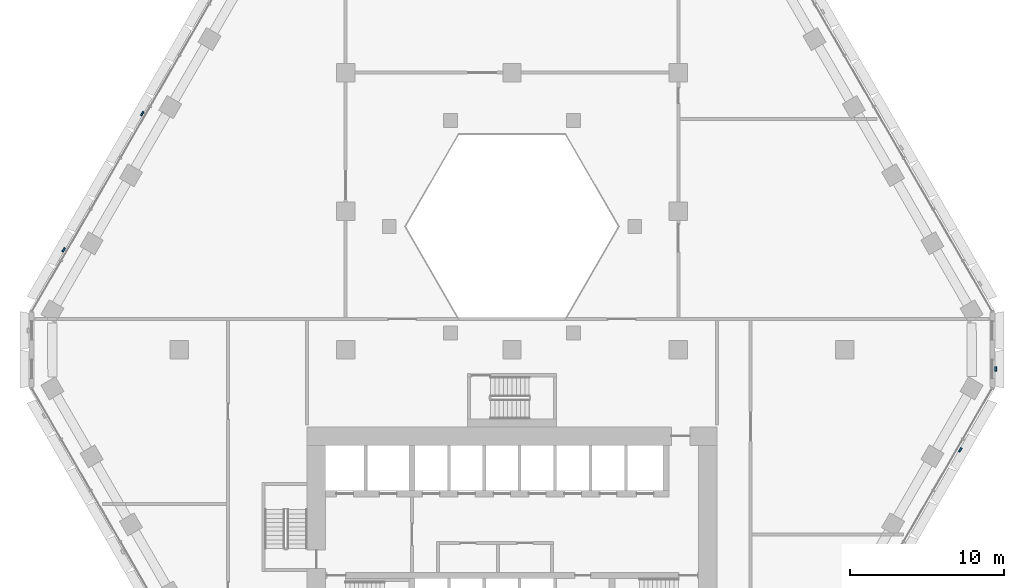
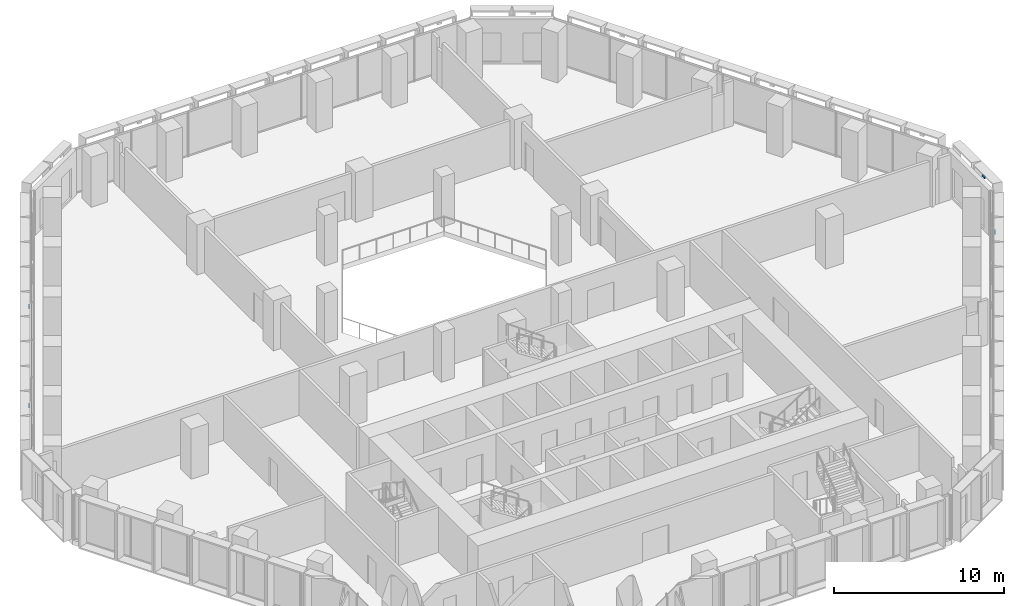
# One storey, part 16 of 25: 4 discrete accessories.
"""IFC4 building model written with IfcOpenShell, lengths in metres."""

from ifc_helpers import new_model, si_unit, direction, frame, origin, place, context, subcontext, project, spatial, polyline, outline, extrude, source, transform, mapped, material, type_object, type_shapes, element, save


model = new_model("IFC4")

# Units and contexts
model_context = context("Model", 3, precision=1e-05, world=origin(), true_north=direction((0.0, 1.0)))
body_context = subcontext(model_context, "Body", "Model", "MODEL_VIEW")
ifc_project = project(units=[si_unit("LENGTHUNIT", "METRE"), si_unit("AREAUNIT", "SQUARE_METRE"), si_unit("VOLUMEUNIT", "CUBIC_METRE"), si_unit("PLANEANGLEUNIT", "RADIAN"), si_unit("MASSUNIT", "GRAM", prefix="KILO")], contexts=[model_context])

# Site, building, storey
site_placement = place(None, origin())
site = spatial("IfcSite", under=ifc_project, at=site_placement, CompositionType="ELEMENT")
building_placement = place(site_placement, origin())
building = spatial("IfcBuilding", under=site, at=building_placement, Name="Beryl Residences", CompositionType="ELEMENT")
storey_placement = place(building_placement, frame((0.0, 0.0, 16.199951171875)))
storey = spatial("IfcBuildingStorey", under=building, at=storey_placement, Name="L04", CompositionType="ELEMENT", Elevation=16.199951171875)

# Discrete accessories
ifc_material = material(Name="Steel S355", Category="steel")
discrete_accessory_type = type_object("IfcDiscreteAccessoryType", Name="BR1 frame bracket 300 x 120 x 150 mm", PredefinedType="BRACKET", material=ifc_material)
shared_shape = source(origin(), body_context, "Body", "SweptSolid", [
    extrude(outline(polyline([(-0.14990234375, 0.0), (0.14990234375, 0.0), (0.14990234375, 0.1201171875), (-0.14990234375, 0.1201171875), (-0.14990234375, 0.0)])), origin(), (0.0, 0.0, 1.0), 0.14990234375),
])
type_shapes(discrete_accessory_type, [shared_shape])
for number, where, z_axis, x_axis, name in (
    (1, (-23.9580078125, 15.303955078125, 3.35009765625), (0.0, 0.0, 1.0), (0.5, 0.866025403784, 0.0), "BR1 bracket L04 NW 5"),
    (2, (-29.06103515625, 6.464111328125, 3.35009765625), (0.0, 0.0, 1.0), (0.5, 0.866025403784, 0.0), "BR1 bracket L04 NW 9"),
    (3, (29.06103515625, -6.464111328125, 3.35009765625), (0.0, 0.0, 1.0), (-0.5, -0.866025403784, 0.0), "BR1 bracket L04 SE 9"),
    (4, (31.35009765625, -1.25, 3.35009765625), (0.0, 0.0, 1.0), (0.0, -1.0, 0.0), "BR1 bracket L04 SE-NE 1"),
):
    element("IfcDiscreteAccessory", number, at=place(storey_placement, frame(where, z_axis=z_axis, x_axis=x_axis)), inside=storey, type_object=discrete_accessory_type, Name=name, PredefinedType="BRACKET", context=body_context, shape_type="MappedRepresentation", body=[
        mapped(shared_shape, transform((0.0, 0.0, 0.0))),
    ])

save(model, "model.ifc")
